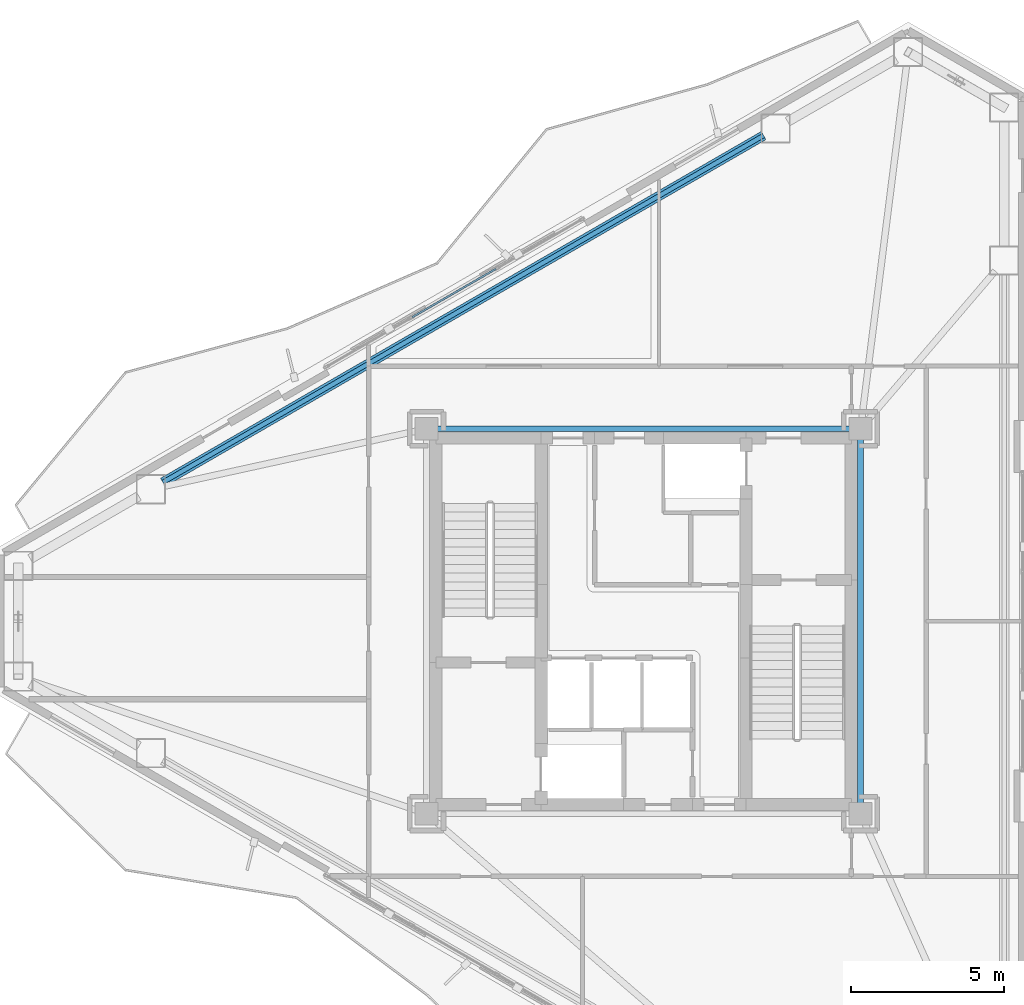
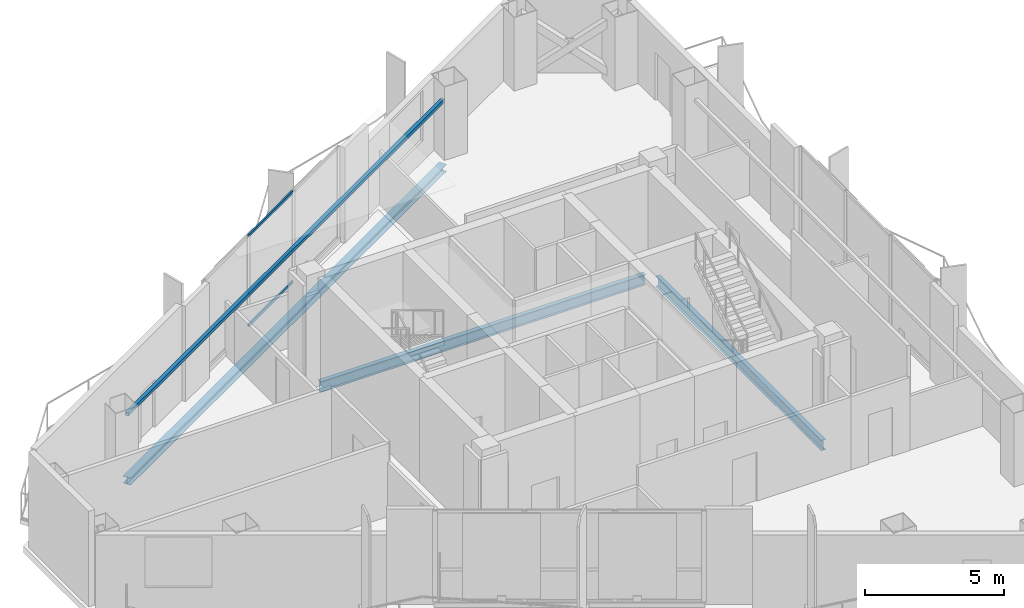
# One storey, part 7 of 18: 4 beams, 3 members, 1 element without a shape of its own.
"""IFC4 building model written with IfcOpenShell, lengths in metres."""

from ifc_helpers import new_model, si_unit, direction, frame, origin, origin_2d, place, context, subcontext, project, spatial, hollow_rectangle, i_section, extrude, material, layer, layer_set, material_profile, profile_set, type_object, element, aggregate, save


model = new_model("IFC4")

# Units and contexts
model_context = context("Model", 3, precision=1e-05, world=origin(), true_north=direction((0.0, 1.0)))
body_context = subcontext(model_context, "Body", "Model", "MODEL_VIEW")
ifc_project = project(units=[si_unit("LENGTHUNIT", "METRE"), si_unit("AREAUNIT", "SQUARE_METRE"), si_unit("VOLUMEUNIT", "CUBIC_METRE"), si_unit("PLANEANGLEUNIT", "RADIAN"), si_unit("MASSUNIT", "GRAM", prefix="KILO")], contexts=[model_context])

# Site, building, storey
site_placement = place(None, origin())
site = spatial("IfcSite", under=ifc_project, at=site_placement, CompositionType="ELEMENT")
building_placement = place(site_placement, origin())
building = spatial("IfcBuilding", under=site, at=building_placement, Name="Mersakhor Tower and Convention Hall", CompositionType="ELEMENT")
storey_placement = place(building_placement, frame((0.0, 0.0, 170.699951171875)))
storey = spatial("IfcBuildingStorey", under=building, at=storey_placement, Name="L47", CompositionType="ELEMENT", Elevation=170.699951171875)

# Beams
ifc_material_1 = material(Name="Steel S355", Category="steel")
ifc_material_profile_1 = material_profile(ifc_material_1, i_section(OverallWidth=0.19140625, OverallDepth=0.4599609375, WebThickness=0.010009765625, FlangeThickness=0.01611328125, at=origin_2d()), Name="UB 457x191x82")
ifc_profile_set_1 = profile_set([ifc_material_profile_1], Name="Steel S355")
beam_type_1 = type_object("IfcBeamType", Name="BM-FB-457", PredefinedType="BEAM", material=ifc_profile_set_1)
beam_1_placement = place(storey_placement, frame((22.2548828125, 33.050048828125, -0.510009765625), z_axis=(1.0, 0.0, 0.0), x_axis=(0.0, 1.0, 0.0)))
element("IfcBeam", 1, at=beam_1_placement, inside=storey, type_object=beam_type_1, Name="L47 Core Ring Tie Beam CRB-2", PredefinedType="BEAM", context=body_context, shape_type="SweptSolid", body=[
    extrude(i_section(OverallWidth=0.19140625, OverallDepth=0.4599609375, WebThickness=0.010009765625, FlangeThickness=0.01611328125, at=origin_2d()), origin(), (0.0, 0.0, 1.0), 13.490234375),
])
beam_2_placement = place(storey_placement, frame((36.10009765625, 32.695068359375, -0.510009765625), z_axis=(0.0, -1.0, 0.0), x_axis=(1.0, 0.0, 0.0)))
element("IfcBeam", 2, at=beam_2_placement, inside=storey, type_object=beam_type_1, Name="L47 Core Ring Tie Beam CRB-3", PredefinedType="BEAM", context=body_context, shape_type="SweptSolid", body=[
    extrude(i_section(OverallWidth=0.19140625, OverallDepth=0.4599609375, WebThickness=0.010009765625, FlangeThickness=0.01611328125, at=origin_2d()), origin(), (0.0, 0.0, 1.0), 11.89013671875),
])
ifc_material_2 = material(Name="Steel S355", Category="steel")
ifc_material_profile_2 = material_profile(ifc_material_2, hollow_rectangle(XDim=0.14990234375, YDim=0.14990234375, WallThickness=0.010009765625, at=origin_2d()), Name="SHS 150x150x10")
ifc_profile_set_2 = profile_set([ifc_material_profile_2], Name="Steel S355")
beam_type_2 = type_object("IfcBeamType", Name="BM-GRT-SHS150", PredefinedType="USERDEFINED", material=ifc_profile_set_2)
beam_3_placement = place(storey_placement, frame((13.26806640625, 31.297119140625, 2.47998046875), z_axis=(0.86602942013, 0.499993043422, 0.0), x_axis=(-0.499993043422, 0.86602942013, 0.0)))
element("IfcBeam", 3, at=beam_3_placement, inside=storey, type_object=beam_type_2, Name="L47 Facade Support Girt GRT-F1", ObjectType="GIRT", PredefinedType="USERDEFINED", context=body_context, shape_type="SweptSolid", body=[
    extrude(hollow_rectangle(XDim=0.14990234375, YDim=0.14990234375, WallThickness=0.010009765625, at=origin_2d()), origin(), (0.0, 0.0, 1.0), 22.701416015625),
])
ifc_material_3 = material(Name="Steel S355", Category="steel")
ifc_material_profile_3 = material_profile(ifc_material_3, i_section(OverallWidth=0.30908203125, OverallDepth=0.320556640625, WebThickness=0.013916015625, FlangeThickness=0.021728515625, at=origin_2d()), Name="UC 305x305x137")
ifc_profile_set_3 = profile_set([ifc_material_profile_3], Name="Steel S355")
beam_type_3 = type_object("IfcBeamType", Name="BM-SPD-UC305", PredefinedType="SPANDREL", material=ifc_profile_set_3)
beam_4_placement = place(storey_placement, frame((13.26806640625, 31.297119140625, -0.440185546875), z_axis=(0.86602942013, 0.499993043422, 0.0), x_axis=(-0.499993043422, 0.86602942013, 0.0)))
element("IfcBeam", 4, at=beam_4_placement, inside=storey, type_object=beam_type_3, Name="L47 Perimeter Spandrel Beam SPB-02", PredefinedType="SPANDREL", context=body_context, shape_type="SweptSolid", body=[
    extrude(i_section(OverallWidth=0.30908203125, OverallDepth=0.320556640625, WebThickness=0.013916015625, FlangeThickness=0.021728515625, at=origin_2d()), origin(), (0.0, 0.0, 1.0), 22.701416015625),
])

# Curtain wall, members
ifc_material_4 = material(Name="Dark solar low-E aluminium curtain wall", Category="aluminium")
ifc_layer = layer(ifc_material_4, 0.199951171875)
ifc_layer_set = layer_set([ifc_layer], Name="Dark solar low-E aluminium curtain wall")
curtain_wall_type = type_object("IfcCurtainWallType", Name="CW-SYS-05", PredefinedType="USERDEFINED", material=ifc_layer_set)
curtain_wall_placement = place(storey_placement, origin())
curtain_wall = element("IfcCurtainWall", 5, at=curtain_wall_placement, inside=storey, type_object=curtain_wall_type, Name="L47 Dark-Glass Curtain Wall F1-B2", ObjectType="CURTAIN WALL", PredefinedType="USERDEFINED")
ifc_material_5 = material(Name="Anodised aluminium EN AW-6063 T6", Category="aluminium")
ifc_material_profile_4 = material_profile(ifc_material_5, hollow_rectangle(XDim=0.06005859375, YDim=0.1201171875, WallThickness=0.0048828125, at=origin_2d()), Name="RHS 120x60x5")
ifc_profile_set_4 = profile_set([ifc_material_profile_4], Name="Anodised aluminium EN AW-6063 T6")
member_type = type_object("IfcMemberType", Name="CWT-120x60", PredefinedType="USERDEFINED", material=ifc_profile_set_4)
member_1_placement = place(storey_placement, frame((21.426513671875, 36.7001953125, 0.22998046875), z_axis=(0.866028995734, 0.499993778509, 0.0), x_axis=(-0.499993778509, 0.866028995734, 0.0)))
member_1 = element("IfcMember", 6, at=member_1_placement, type_object=member_type, Name="CW-05 transom 2.1", ObjectType="TRANSOM", PredefinedType="USERDEFINED", context=body_context, shape_type="SweptSolid", body=[
    extrude(hollow_rectangle(XDim=0.06005859375, YDim=0.1201171875, WallThickness=0.0048828125, at=origin_2d()), origin(), (0.0, 0.0, 1.0), 3.16748046875),
])
member_2_placement = place(storey_placement, frame((21.426513671875, 36.7001953125, 1.6201171875), z_axis=(0.866028995734, 0.499993778509, 0.0), x_axis=(-0.499993778509, 0.866028995734, 0.0)))
member_2 = element("IfcMember", 7, at=member_2_placement, type_object=member_type, Name="CW-05 transom 2.2", ObjectType="TRANSOM", PredefinedType="USERDEFINED", context=body_context, shape_type="SweptSolid", body=[
    extrude(hollow_rectangle(XDim=0.06005859375, YDim=0.1201171875, WallThickness=0.0048828125, at=origin_2d()), origin(), (0.0, 0.0, 1.0), 3.16748046875),
])
member_3_placement = place(storey_placement, frame((21.426513671875, 36.7001953125, 4.16015625), z_axis=(0.866028995734, 0.499993778509, 0.0), x_axis=(-0.499993778509, 0.866028995734, 0.0)))
member_3 = element("IfcMember", 8, at=member_3_placement, type_object=member_type, Name="CW-05 transom 2.3", ObjectType="TRANSOM", PredefinedType="USERDEFINED", context=body_context, shape_type="SweptSolid", body=[
    extrude(hollow_rectangle(XDim=0.06005859375, YDim=0.1201171875, WallThickness=0.0048828125, at=origin_2d()), origin(), (0.0, 0.0, 1.0), 3.16748046875),
])
aggregate(curtain_wall, [member_1, member_2, member_3])

save(model, "model.ifc")
